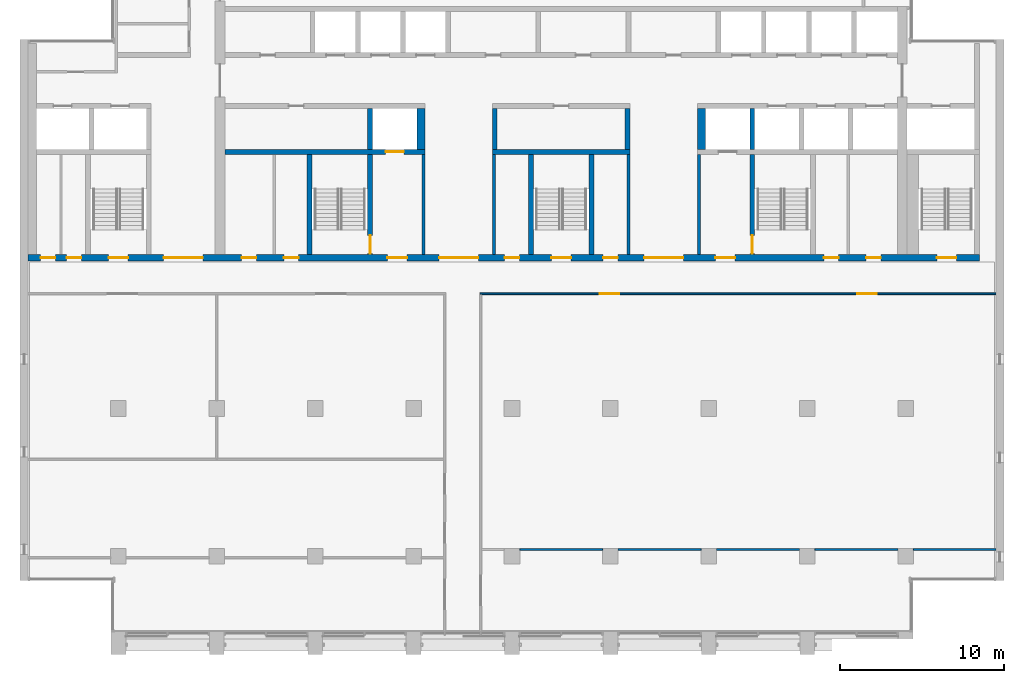
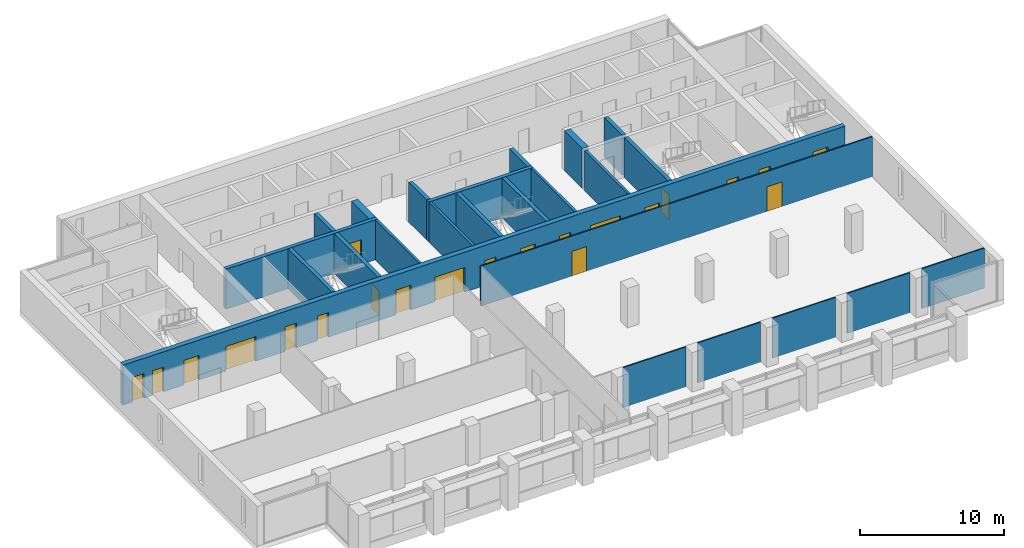
# One storey, part 8 of 14: 24 walls, 21 doors, 21 openings.
"""IFC4 building model written with IfcOpenShell, lengths in metres."""

from ifc_helpers import new_model, si_unit, direction, frame, frame_2d, origin, place, context, subcontext, project, spatial, rectangle, extrude, material, layer, layer_set, type_object, element, fill, save


model = new_model("IFC4")

# Units and contexts
model_context = context("Model", 3, precision=1e-05, world=origin(), true_north=direction((0.0, 1.0)))
body_context = subcontext(model_context, "Body", "Model", "MODEL_VIEW")
ifc_project = project(units=[si_unit("LENGTHUNIT", "METRE"), si_unit("AREAUNIT", "SQUARE_METRE"), si_unit("VOLUMEUNIT", "CUBIC_METRE"), si_unit("PLANEANGLEUNIT", "RADIAN"), si_unit("MASSUNIT", "GRAM", prefix="KILO")], contexts=[model_context])

# Site, building, storey
site_placement = place(None, origin())
site = spatial("IfcSite", under=ifc_project, at=site_placement, CompositionType="ELEMENT")
building_placement = place(site_placement, origin())
building = spatial("IfcBuilding", under=site, at=building_placement, Name="Calvaro Tower", CompositionType="ELEMENT")
storey_placement = place(building_placement, frame((0.0, 0.0, 235.550048828125)))
storey = spatial("IfcBuildingStorey", under=building, at=storey_placement, Name="L59", CompositionType="ELEMENT", Elevation=235.550048828125)

# Walls
ifc_material_1 = material(Name="Blockwork partition", Category="masonry")
ifc_layer_1 = layer(ifc_material_1, 0.199951171875)
ifc_layer_set_1 = layer_set([ifc_layer_1], Name="Blockwork partition")
wall_type_1 = type_object("IfcWallType", Name="Core partition 200 REI 120", PredefinedType="PARTITIONING", material=ifc_layer_set_1)
for number, where, z_axis, x_axis, name in (
    (1, (30.60009765625, 28.39990234375, 0.0), (0.0, 0.0, 1.0), (0.0, 1.0, 0.0), "Core partition"),
    (2, (34.89990234375, 28.39990234375, 0.0), (0.0, 0.0, 1.0), (0.0, 1.0, 0.0), "Core partition"),
    (3, (43.10009765625, 28.39990234375, 0.0), (0.0, 0.0, 1.0), (0.0, 1.0, 0.0), "Core partition"),
    (4, (47.39990234375, 28.39990234375, 0.0), (0.0, 0.0, 1.0), (0.0, 1.0, 0.0), "Core partition"),
):
    element("IfcWall", number, at=place(storey_placement, frame(where, z_axis=z_axis, x_axis=x_axis)), inside=storey, type_object=wall_type_1, Name=name, PredefinedType="PARTITIONING", context=body_context, shape_type="SweptSolid", body=[
        extrude(rectangle(XDim=6.10009765625, YDim=0.199951171875, at=frame_2d((3.050048828125, 0.0))), origin(), (0.0, 0.0, 1.0), 3.39990234375),
    ])
ifc_material_2 = material(Name="Concrete C40/50", Category="concrete")
ifc_layer_2 = layer(ifc_material_2, 0.300048828125)
ifc_layer_set_2 = layer_set([ifc_layer_2], Name="Concrete C40/50")
wall_type_2 = type_object("IfcWallType", Name="Core wall C40/50 300", PredefinedType="SHEAR", material=ifc_layer_set_2)
wall_1_placement = place(storey_placement, frame((23.64990234375, 28.39990234375, 0.0), z_axis=(0.0, 0.0, 1.0), x_axis=(0.0, 1.0, 0.0)))
element("IfcWall", 5, at=wall_1_placement, inside=storey, type_object=wall_type_2, Name="Core wall, stair enclosure", PredefinedType="SHEAR", context=body_context, shape_type="SweptSolid", body=[
    extrude(rectangle(XDim=6.10009765625, YDim=0.300048828125, at=frame_2d((3.050048828125, 0.0))), origin(), (0.0, 0.0, 1.0), 3.39990234375),
])

# Wall, opening, door
wall_2_placement = place(storey_placement, frame((27.35009765625, 28.39990234375, 0.0), z_axis=(0.0, 0.0, 1.0), x_axis=(0.0, 1.0, 0.0)))
wall_2 = element("IfcWall", 6, at=wall_2_placement, inside=storey, type_object=wall_type_2, Name="Core wall, stair enclosure", PredefinedType="SHEAR", context=body_context, shape_type="SweptSolid", body=[
    extrude(rectangle(XDim=6.10009765625, YDim=0.300048828125, at=frame_2d((3.050048828125, 0.0))), origin(), (0.0, 0.0, 1.0), 3.39990234375),
])
opening_1_placement = place(wall_2_placement, frame((0.050048828125, 0.0, 0.0)))
opening_1 = element("IfcOpeningElement", 7, at=opening_1_placement, cuts=wall_2, Name="Opening FD11D", PredefinedType="OPENING", context=body_context, shape_type="SweptSolid", body=[
    extrude(rectangle(XDim=1.10009765625, YDim=2.10009765625, at=frame_2d((0.550048828125, 1.050048828125))), frame((0.0, 0.159912109375, 0.0), z_axis=(0.0, -1.0, 0.0), x_axis=(1.0, 0.0, 0.0)), (0.0, 0.0, 1.0), 0.320068359375),
])
ifc_material_3 = material(Name="Steel door set", Category="steel")
door_type_1 = type_object("IfcDoorType", Name="Fire door 1100 FD30S", OperationType="SINGLE_SWING_LEFT", PredefinedType="DOOR", material=ifc_material_3)
door_1_placement = place(opening_1_placement, origin())
door_1 = element("IfcDoor", 8, at=door_1_placement, inside=storey, type_object=door_type_1, Name="Fire door", OperationType="SINGLE_SWING_LEFT", OverallHeight=2.10009765625, OverallWidth=1.10009765625, PredefinedType="DOOR", context=body_context, shape_type="SweptSolid", body=[
    extrude(rectangle(XDim=1.10009765625, YDim=2.10009765625, at=frame_2d((0.550048828125, 1.050048828125))), frame((0.0, 0.02490234375, 0.0), z_axis=(0.0, -1.0, 0.0), x_axis=(1.0, 0.0, 0.0)), (0.0, 0.0, 1.0), 0.050048828125),
])
fill(opening_1, door_1)

# Walls
for number, where, z_axis, x_axis, name in (
    (9, (37.14990234375, 28.39990234375, 0.0), (0.0, 0.0, 1.0), (0.0, 1.0, 0.0), "Core wall, stair enclosure"),
    (10, (40.85009765625, 28.39990234375, 0.0), (0.0, 0.0, 1.0), (0.0, 1.0, 0.0), "Core wall, stair enclosure"),
):
    element("IfcWall", number, at=place(storey_placement, frame(where, z_axis=z_axis, x_axis=x_axis)), inside=storey, type_object=wall_type_2, Name=name, PredefinedType="SHEAR", context=body_context, shape_type="SweptSolid", body=[
        extrude(rectangle(XDim=6.10009765625, YDim=0.300048828125, at=frame_2d((3.050048828125, 0.0))), origin(), (0.0, 0.0, 1.0), 3.39990234375),
    ])

# Wall, opening, door
wall_3_placement = place(storey_placement, frame((50.64990234375, 34.5, 0.0), z_axis=(0.0, 0.0, 1.0), x_axis=(0.0, -1.0, 0.0)))
wall_3 = element("IfcWall", 11, at=wall_3_placement, inside=storey, type_object=wall_type_2, Name="Core wall, stair enclosure", PredefinedType="SHEAR", context=body_context, shape_type="SweptSolid", body=[
    extrude(rectangle(XDim=6.10009765625, YDim=0.300048828125, at=frame_2d((3.050048828125, 0.0))), origin(), (0.0, 0.0, 1.0), 3.39990234375),
])
opening_2_placement = place(wall_3_placement, frame((4.949951171875, 0.0, 0.0)))
opening_2 = element("IfcOpeningElement", 12, at=opening_2_placement, cuts=wall_3, Name="Opening FD11D", PredefinedType="OPENING", context=body_context, shape_type="SweptSolid", body=[
    extrude(rectangle(XDim=1.10009765625, YDim=2.10009765625, at=frame_2d((0.550048828125, 1.050048828125))), frame((0.0, 0.159912109375, 0.0), z_axis=(0.0, -1.0, 0.0), x_axis=(1.0, 0.0, 0.0)), (0.0, 0.0, 1.0), 0.320068359375),
])
door_2_placement = place(opening_2_placement, origin())
door_2 = element("IfcDoor", 13, at=door_2_placement, inside=storey, type_object=door_type_1, Name="Fire door", OperationType="SINGLE_SWING_RIGHT", OverallHeight=2.10009765625, OverallWidth=1.10009765625, PredefinedType="DOOR", context=body_context, shape_type="SweptSolid", body=[
    extrude(rectangle(XDim=1.10009765625, YDim=2.10009765625, at=frame_2d((0.550048828125, 1.050048828125))), frame((0.0, 0.02490234375, 0.0), z_axis=(0.0, -1.0, 0.0), x_axis=(1.0, 0.0, 0.0)), (0.0, 0.0, 1.0), 0.050048828125),
])
fill(opening_2, door_2)

wall_4_placement = place(storey_placement, frame((18.5, 34.64990234375, 0.0), z_axis=(0.0, 0.0, 1.0), x_axis=(1.0, 0.0, 0.0)))
wall_4 = element("IfcWall", 14, at=wall_4_placement, inside=storey, type_object=wall_type_2, Name="Core wall, lift shaft", PredefinedType="SHEAR", context=body_context, shape_type="SweptSolid", body=[
    extrude(rectangle(XDim=12.199951171875, YDim=0.300048828125, at=frame_2d((6.10009765625, 0.0))), origin(), (0.0, 0.0, 1.0), 3.39990234375),
])
opening_3_placement = place(wall_4_placement, frame((9.800048828125, 0.0, 0.0)))
opening_3 = element("IfcOpeningElement", 15, at=opening_3_placement, cuts=wall_4, Name="Opening FF1", PredefinedType="OPENING", context=body_context, shape_type="SweptSolid", body=[
    extrude(rectangle(XDim=1.10009765625, YDim=2.10009765625, at=frame_2d((0.550048828125, 1.050048828125))), frame((0.0, 0.159912109375, 0.0), z_axis=(0.0, -1.0, 0.0), x_axis=(1.0, 0.0, 0.0)), (0.0, 0.0, 1.0), 0.320068359375),
])
ifc_material_4 = material(Name="Stainless steel", Category="steel")
door_type_2 = type_object("IfcDoorType", Name="Landing door 1100 E 60", OperationType="SLIDING_TO_LEFT", PredefinedType="DOOR", material=ifc_material_4)
door_3_placement = place(opening_3_placement, origin())
door_3 = element("IfcDoor", 16, at=door_3_placement, inside=storey, type_object=door_type_2, Name="Landing door FF1", OperationType="SLIDING_TO_LEFT", OverallHeight=2.10009765625, OverallWidth=1.10009765625, PredefinedType="DOOR", context=body_context, shape_type="SweptSolid", body=[
    extrude(rectangle(XDim=1.10009765625, YDim=2.10009765625, at=frame_2d((0.550048828125, 1.050048828125))), frame((0.0, 0.02490234375, 0.0), z_axis=(0.0, -1.0, 0.0), x_axis=(1.0, 0.0, 0.0)), (0.0, 0.0, 1.0), 0.050048828125),
])
fill(opening_3, door_3)

# Walls
wall_5_placement = place(storey_placement, frame((34.800048828125, 34.64990234375, 0.0), z_axis=(0.0, 0.0, 1.0), x_axis=(1.0, 0.0, 0.0)))
element("IfcWall", 17, at=wall_5_placement, inside=storey, type_object=wall_type_2, Name="Core wall, lift shaft", PredefinedType="SHEAR", context=body_context, shape_type="SweptSolid", body=[
    extrude(rectangle(XDim=8.39990234375, YDim=0.300048828125, at=frame_2d((4.199951171875, 0.0))), origin(), (0.0, 0.0, 1.0), 3.39990234375),
])
for number, where, z_axis, x_axis, name in (
    (18, (27.35009765625, 34.800048828125, 0.0), (0.0, 0.0, 1.0), (0.0, 1.0, 0.0), "Core wall, lift shaft"),
    (19, (34.949951171875, 34.800048828125, 0.0), (0.0, 0.0, 1.0), (0.0, 1.0, 0.0), "Core wall, lift shaft"),
    (20, (43.050048828125, 34.800048828125, 0.0), (0.0, 0.0, 1.0), (0.0, 1.0, 0.0), "Core wall, lift shaft"),
    (21, (50.64990234375, 34.800048828125, 0.0), (0.0, 0.0, 1.0), (0.0, 1.0, 0.0), "Core wall, lift shaft"),
):
    element("IfcWall", number, at=place(storey_placement, frame(where, z_axis=z_axis, x_axis=x_axis)), inside=storey, type_object=wall_type_2, Name=name, PredefinedType="SHEAR", context=body_context, shape_type="SweptSolid", body=[
        extrude(rectangle(XDim=2.5, YDim=0.300048828125, at=frame_2d((1.25, 0.0))), origin(), (0.0, 0.0, 1.0), 3.39990234375),
    ])

# Wall, openings, doors
ifc_material_5 = material(Name="Concrete C40/50", Category="concrete")
ifc_layer_3 = layer(ifc_material_5, 0.39990234375)
ifc_layer_set_3 = layer_set([ifc_layer_3], Name="Concrete C40/50")
wall_type_3 = type_object("IfcWallType", Name="Core wall C40/50 400", PredefinedType="SHEAR", material=ifc_layer_set_3)
wall_6_placement = place(storey_placement, frame((6.5, 28.199951171875, 0.0), z_axis=(0.0, 0.0, 1.0), x_axis=(1.0, 0.0, 0.0)))
wall_6 = element("IfcWall", 22, at=wall_6_placement, inside=storey, type_object=wall_type_3, Name="Core wall, front", PredefinedType="SHEAR", context=body_context, shape_type="SweptSolid", body=[
    extrude(rectangle(XDim=58.0, YDim=0.39990234375, at=frame_2d((29.0, 0.0))), origin(), (0.0, 0.0, 1.0), 3.39990234375),
])
opening_4_placement = place(wall_6_placement, frame((13.012451171875, 0.0, 0.0)))
opening_4 = element("IfcOpeningElement", 23, at=opening_4_placement, cuts=wall_6, Name="Opening RD9E", PredefinedType="OPENING", context=body_context, shape_type="SweptSolid", body=[
    extrude(rectangle(XDim=0.89990234375, YDim=2.10009765625, at=frame_2d((0.449951171875, 1.050048828125))), frame((0.0, 0.2099609375, 0.0), z_axis=(0.0, -1.0, 0.0), x_axis=(1.0, 0.0, 0.0)), (0.0, 0.0, 1.0), 0.419921875),
])
opening_5_placement = place(wall_6_placement, frame((15.58740234375, 0.0, 0.0)))
opening_5 = element("IfcOpeningElement", 24, at=opening_5_placement, cuts=wall_6, Name="Opening RD9E", PredefinedType="OPENING", context=body_context, shape_type="SweptSolid", body=[
    extrude(rectangle(XDim=0.89990234375, YDim=2.10009765625, at=frame_2d((0.449951171875, 1.050048828125))), frame((0.0, 0.2099609375, 0.0), z_axis=(0.0, -1.0, 0.0), x_axis=(1.0, 0.0, 0.0)), (0.0, 0.0, 1.0), 0.419921875),
])
opening_6_placement = place(wall_6_placement, frame((48.512451171875, 0.0, 0.0)))
opening_6 = element("IfcOpeningElement", 25, at=opening_6_placement, cuts=wall_6, Name="Opening RD9E", PredefinedType="OPENING", context=body_context, shape_type="SweptSolid", body=[
    extrude(rectangle(XDim=0.89990234375, YDim=2.10009765625, at=frame_2d((0.449951171875, 1.050048828125))), frame((0.0, 0.2099609375, 0.0), z_axis=(0.0, -1.0, 0.0), x_axis=(1.0, 0.0, 0.0)), (0.0, 0.0, 1.0), 0.419921875),
])
opening_7_placement = place(wall_6_placement, frame((51.08740234375, 0.0, 0.0)))
opening_7 = element("IfcOpeningElement", 26, at=opening_7_placement, cuts=wall_6, Name="Opening RD9E", PredefinedType="OPENING", context=body_context, shape_type="SweptSolid", body=[
    extrude(rectangle(XDim=0.89990234375, YDim=2.10009765625, at=frame_2d((0.449951171875, 1.050048828125))), frame((0.0, 0.2099609375, 0.0), z_axis=(0.0, -1.0, 0.0), x_axis=(1.0, 0.0, 0.0)), (0.0, 0.0, 1.0), 0.419921875),
])
opening_8_placement = place(wall_6_placement, frame((0.762451171875, 0.0, 0.0)))
opening_8 = element("IfcOpeningElement", 27, at=opening_8_placement, cuts=wall_6, Name="Opening RD9E", PredefinedType="OPENING", context=body_context, shape_type="SweptSolid", body=[
    extrude(rectangle(XDim=0.89990234375, YDim=2.10009765625, at=frame_2d((0.449951171875, 1.050048828125))), frame((0.0, 0.2099609375, 0.0), z_axis=(0.0, -1.0, 0.0), x_axis=(1.0, 0.0, 0.0)), (0.0, 0.0, 1.0), 0.419921875),
])
opening_9_placement = place(wall_6_placement, frame((2.33740234375, 0.0, 0.0)))
opening_9 = element("IfcOpeningElement", 28, at=opening_9_placement, cuts=wall_6, Name="Opening RD9C", PredefinedType="OPENING", context=body_context, shape_type="SweptSolid", body=[
    extrude(rectangle(XDim=0.89990234375, YDim=2.10009765625, at=frame_2d((0.449951171875, 1.050048828125))), frame((0.0, 0.2099609375, 0.0), z_axis=(0.0, -1.0, 0.0), x_axis=(1.0, 0.0, 0.0)), (0.0, 0.0, 1.0), 0.419921875),
])
opening_10_placement = place(wall_6_placement, frame((4.89990234375, 0.0, 0.0)))
opening_10 = element("IfcOpeningElement", 29, at=opening_10_placement, cuts=wall_6, Name="Opening SD12D", PredefinedType="OPENING", context=body_context, shape_type="SweptSolid", body=[
    extrude(rectangle(XDim=1.199951171875, YDim=2.10009765625, at=frame_2d((0.60009765625, 1.050048828125))), frame((0.0, 0.2099609375, 0.0), z_axis=(0.0, -1.0, 0.0), x_axis=(1.0, 0.0, 0.0)), (0.0, 0.0, 1.0), 0.419921875),
])
opening_11_placement = place(wall_6_placement, frame((31.89990234375, 0.0, 0.0)))
opening_11 = element("IfcOpeningElement", 30, at=opening_11_placement, cuts=wall_6, Name="Opening SD12D", PredefinedType="OPENING", context=body_context, shape_type="SweptSolid", body=[
    extrude(rectangle(XDim=1.199951171875, YDim=2.10009765625, at=frame_2d((0.60009765625, 1.050048828125))), frame((0.0, 0.2099609375, 0.0), z_axis=(0.0, -1.0, 0.0), x_axis=(1.0, 0.0, 0.0)), (0.0, 0.0, 1.0), 0.419921875),
])
opening_12_placement = place(wall_6_placement, frame((55.39990234375, 0.0, 0.0)))
opening_12 = element("IfcOpeningElement", 31, at=opening_12_placement, cuts=wall_6, Name="Opening SD12D", PredefinedType="OPENING", context=body_context, shape_type="SweptSolid", body=[
    extrude(rectangle(XDim=1.199951171875, YDim=2.10009765625, at=frame_2d((0.60009765625, 1.050048828125))), frame((0.0, 0.2099609375, 0.0), z_axis=(0.0, -1.0, 0.0), x_axis=(1.0, 0.0, 0.0)), (0.0, 0.0, 1.0), 0.419921875),
])
opening_13_placement = place(wall_6_placement, frame((21.89990234375, 0.0, 0.0)))
opening_13 = element("IfcOpeningElement", 32, at=opening_13_placement, cuts=wall_6, Name="Opening FD12F", PredefinedType="OPENING", context=body_context, shape_type="SweptSolid", body=[
    extrude(rectangle(XDim=1.199951171875, YDim=2.10009765625, at=frame_2d((0.60009765625, 1.050048828125))), frame((0.0, 0.2099609375, 0.0), z_axis=(0.0, -1.0, 0.0), x_axis=(1.0, 0.0, 0.0)), (0.0, 0.0, 1.0), 0.419921875),
])
opening_14_placement = place(wall_6_placement, frame((41.89990234375, 0.0, 0.0)))
opening_14 = element("IfcOpeningElement", 33, at=opening_14_placement, cuts=wall_6, Name="Opening FD12F", PredefinedType="OPENING", context=body_context, shape_type="SweptSolid", body=[
    extrude(rectangle(XDim=1.199951171875, YDim=2.10009765625, at=frame_2d((0.60009765625, 1.050048828125))), frame((0.0, 0.2099609375, 0.0), z_axis=(0.0, -1.0, 0.0), x_axis=(1.0, 0.0, 0.0)), (0.0, 0.0, 1.0), 0.419921875),
])
opening_15_placement = place(wall_6_placement, frame((25.050048828125, 0.0, 0.0)))
opening_15 = element("IfcOpeningElement", 34, at=opening_15_placement, cuts=wall_6, Name="Opening DD24D", PredefinedType="OPENING", context=body_context, shape_type="SweptSolid", body=[
    extrude(rectangle(XDim=2.39990234375, YDim=2.10009765625, at=frame_2d((1.199951171875, 1.050048828125))), frame((0.0, 0.2099609375, 0.0), z_axis=(0.0, -1.0, 0.0), x_axis=(1.0, 0.0, 0.0)), (0.0, 0.0, 1.0), 0.419921875),
])
opening_16_placement = place(wall_6_placement, frame((37.550048828125, 0.0, 0.0)))
opening_16 = element("IfcOpeningElement", 35, at=opening_16_placement, cuts=wall_6, Name="Opening DD24D", PredefinedType="OPENING", context=body_context, shape_type="SweptSolid", body=[
    extrude(rectangle(XDim=2.39990234375, YDim=2.10009765625, at=frame_2d((1.199951171875, 1.050048828125))), frame((0.0, 0.2099609375, 0.0), z_axis=(0.0, -1.0, 0.0), x_axis=(1.0, 0.0, 0.0)), (0.0, 0.0, 1.0), 0.419921875),
])
opening_17_placement = place(wall_6_placement, frame((8.25, 0.0, 0.0)))
opening_17 = element("IfcOpeningElement", 36, at=opening_17_placement, cuts=wall_6, Name="Opening DD24D", PredefinedType="OPENING", context=body_context, shape_type="SweptSolid", body=[
    extrude(rectangle(XDim=2.39990234375, YDim=2.10009765625, at=frame_2d((1.199951171875, 1.050048828125))), frame((0.0, 0.2099609375, 0.0), z_axis=(0.0, -1.0, 0.0), x_axis=(1.0, 0.0, 0.0)), (0.0, 0.0, 1.0), 0.419921875),
])
opening_18_placement = place(wall_6_placement, frame((29.050048828125, 0.0, 0.0)))
opening_18 = element("IfcOpeningElement", 37, at=opening_18_placement, cuts=wall_6, Name="Opening RD9E", PredefinedType="OPENING", context=body_context, shape_type="SweptSolid", body=[
    extrude(rectangle(XDim=0.89990234375, YDim=2.10009765625, at=frame_2d((0.449951171875, 1.050048828125))), frame((0.0, 0.2099609375, 0.0), z_axis=(0.0, -1.0, 0.0), x_axis=(1.0, 0.0, 0.0)), (0.0, 0.0, 1.0), 0.419921875),
])
opening_19_placement = place(wall_6_placement, frame((35.050048828125, 0.0, 0.0)))
opening_19 = element("IfcOpeningElement", 38, at=opening_19_placement, cuts=wall_6, Name="Opening RD9E", PredefinedType="OPENING", context=body_context, shape_type="SweptSolid", body=[
    extrude(rectangle(XDim=0.89990234375, YDim=2.10009765625, at=frame_2d((0.449951171875, 1.050048828125))), frame((0.0, 0.2099609375, 0.0), z_axis=(0.0, -1.0, 0.0), x_axis=(1.0, 0.0, 0.0)), (0.0, 0.0, 1.0), 0.419921875),
])
ifc_material_6 = material(Name="Steel door set", Category="steel")
door_type_3 = type_object("IfcDoorType", Name="Fire door 1200 FD60S", OperationType="SINGLE_SWING_LEFT", PredefinedType="DOOR", material=ifc_material_6)
door_4_placement = place(opening_13_placement, origin())
door_4 = element("IfcDoor", 39, at=door_4_placement, inside=storey, type_object=door_type_3, Name="Fire door", OperationType="SINGLE_SWING_LEFT", OverallHeight=2.10009765625, OverallWidth=1.199951171875, PredefinedType="DOOR", context=body_context, shape_type="SweptSolid", body=[
    extrude(rectangle(XDim=1.199951171875, YDim=2.10009765625, at=frame_2d((0.60009765625, 1.050048828125))), frame((0.0, 0.02490234375, 0.0), z_axis=(0.0, -1.0, 0.0), x_axis=(1.0, 0.0, 0.0)), (0.0, 0.0, 1.0), 0.050048828125),
])
fill(opening_13, door_4)
door_5_placement = place(opening_14_placement, origin())
door_5 = element("IfcDoor", 40, at=door_5_placement, inside=storey, type_object=door_type_3, Name="Fire door", OperationType="SINGLE_SWING_LEFT", OverallHeight=2.10009765625, OverallWidth=1.199951171875, PredefinedType="DOOR", context=body_context, shape_type="SweptSolid", body=[
    extrude(rectangle(XDim=1.199951171875, YDim=2.10009765625, at=frame_2d((0.60009765625, 1.050048828125))), frame((0.0, 0.02490234375, 0.0), z_axis=(0.0, -1.0, 0.0), x_axis=(1.0, 0.0, 0.0)), (0.0, 0.0, 1.0), 0.050048828125),
])
fill(opening_14, door_5)
ifc_material_7 = material(Name="Steel door set", Category="steel")
door_type_4 = type_object("IfcDoorType", Name="Lobby double door 2400 FD30S", OperationType="DOUBLE_DOOR_SINGLE_SWING", PredefinedType="DOOR", material=ifc_material_7)
door_6_placement = place(opening_15_placement, origin())
door_6 = element("IfcDoor", 41, at=door_6_placement, inside=storey, type_object=door_type_4, Name="Lobby double door", OperationType="DOUBLE_DOOR_SINGLE_SWING", OverallHeight=2.10009765625, OverallWidth=2.39990234375, PredefinedType="DOOR", context=body_context, shape_type="SweptSolid", body=[
    extrude(rectangle(XDim=2.39990234375, YDim=2.10009765625, at=frame_2d((1.199951171875, 1.050048828125))), frame((0.0, 0.02490234375, 0.0), z_axis=(0.0, -1.0, 0.0), x_axis=(1.0, 0.0, 0.0)), (0.0, 0.0, 1.0), 0.050048828125),
])
fill(opening_15, door_6)
door_7_placement = place(opening_16_placement, origin())
door_7 = element("IfcDoor", 42, at=door_7_placement, inside=storey, type_object=door_type_4, Name="Lobby double door", OperationType="DOUBLE_DOOR_SINGLE_SWING", OverallHeight=2.10009765625, OverallWidth=2.39990234375, PredefinedType="DOOR", context=body_context, shape_type="SweptSolid", body=[
    extrude(rectangle(XDim=2.39990234375, YDim=2.10009765625, at=frame_2d((1.199951171875, 1.050048828125))), frame((0.0, 0.02490234375, 0.0), z_axis=(0.0, -1.0, 0.0), x_axis=(1.0, 0.0, 0.0)), (0.0, 0.0, 1.0), 0.050048828125),
])
fill(opening_16, door_7)
door_8_placement = place(opening_17_placement, origin())
door_8 = element("IfcDoor", 43, at=door_8_placement, inside=storey, type_object=door_type_4, Name="Lobby double door", OperationType="DOUBLE_DOOR_SINGLE_SWING", OverallHeight=2.10009765625, OverallWidth=2.39990234375, PredefinedType="DOOR", context=body_context, shape_type="SweptSolid", body=[
    extrude(rectangle(XDim=2.39990234375, YDim=2.10009765625, at=frame_2d((1.199951171875, 1.050048828125))), frame((0.0, 0.02490234375, 0.0), z_axis=(0.0, -1.0, 0.0), x_axis=(1.0, 0.0, 0.0)), (0.0, 0.0, 1.0), 0.050048828125),
])
fill(opening_17, door_8)
ifc_material_8 = material(Name="Steel door set", Category="steel")
door_type_5 = type_object("IfcDoorType", Name="Room door 900 FD30", OperationType="SINGLE_SWING_LEFT", PredefinedType="DOOR", material=ifc_material_8)
door_9_placement = place(opening_9_placement, origin())
door_9 = element("IfcDoor", 44, at=door_9_placement, inside=storey, type_object=door_type_5, Name="Room door", OperationType="SINGLE_SWING_LEFT", OverallHeight=2.10009765625, OverallWidth=0.89990234375, PredefinedType="DOOR", context=body_context, shape_type="SweptSolid", body=[
    extrude(rectangle(XDim=0.89990234375, YDim=2.10009765625, at=frame_2d((0.449951171875, 1.050048828125))), frame((0.0, 0.02490234375, 0.0), z_axis=(0.0, -1.0, 0.0), x_axis=(1.0, 0.0, 0.0)), (0.0, 0.0, 1.0), 0.050048828125),
])
fill(opening_9, door_9)
ifc_material_9 = material(Name="Steel door set", Category="steel")
door_type_6 = type_object("IfcDoorType", Name="Room door 900 FD60", OperationType="SINGLE_SWING_LEFT", PredefinedType="DOOR", material=ifc_material_9)
door_10_placement = place(opening_4_placement, origin())
door_10 = element("IfcDoor", 45, at=door_10_placement, inside=storey, type_object=door_type_6, Name="Room door", OperationType="SINGLE_SWING_LEFT", OverallHeight=2.10009765625, OverallWidth=0.89990234375, PredefinedType="DOOR", context=body_context, shape_type="SweptSolid", body=[
    extrude(rectangle(XDim=0.89990234375, YDim=2.10009765625, at=frame_2d((0.449951171875, 1.050048828125))), frame((0.0, 0.02490234375, 0.0), z_axis=(0.0, -1.0, 0.0), x_axis=(1.0, 0.0, 0.0)), (0.0, 0.0, 1.0), 0.050048828125),
])
fill(opening_4, door_10)
door_11_placement = place(opening_5_placement, origin())
door_11 = element("IfcDoor", 46, at=door_11_placement, inside=storey, type_object=door_type_6, Name="Room door", OperationType="SINGLE_SWING_RIGHT", OverallHeight=2.10009765625, OverallWidth=0.89990234375, PredefinedType="DOOR", context=body_context, shape_type="SweptSolid", body=[
    extrude(rectangle(XDim=0.89990234375, YDim=2.10009765625, at=frame_2d((0.449951171875, 1.050048828125))), frame((0.0, 0.02490234375, 0.0), z_axis=(0.0, -1.0, 0.0), x_axis=(1.0, 0.0, 0.0)), (0.0, 0.0, 1.0), 0.050048828125),
])
fill(opening_5, door_11)
door_12_placement = place(opening_6_placement, origin())
door_12 = element("IfcDoor", 47, at=door_12_placement, inside=storey, type_object=door_type_6, Name="Room door", OperationType="SINGLE_SWING_LEFT", OverallHeight=2.10009765625, OverallWidth=0.89990234375, PredefinedType="DOOR", context=body_context, shape_type="SweptSolid", body=[
    extrude(rectangle(XDim=0.89990234375, YDim=2.10009765625, at=frame_2d((0.449951171875, 1.050048828125))), frame((0.0, 0.02490234375, 0.0), z_axis=(0.0, -1.0, 0.0), x_axis=(1.0, 0.0, 0.0)), (0.0, 0.0, 1.0), 0.050048828125),
])
fill(opening_6, door_12)
door_13_placement = place(opening_7_placement, origin())
door_13 = element("IfcDoor", 48, at=door_13_placement, inside=storey, type_object=door_type_6, Name="Room door", OperationType="SINGLE_SWING_LEFT", OverallHeight=2.10009765625, OverallWidth=0.89990234375, PredefinedType="DOOR", context=body_context, shape_type="SweptSolid", body=[
    extrude(rectangle(XDim=0.89990234375, YDim=2.10009765625, at=frame_2d((0.449951171875, 1.050048828125))), frame((0.0, 0.02490234375, 0.0), z_axis=(0.0, -1.0, 0.0), x_axis=(1.0, 0.0, 0.0)), (0.0, 0.0, 1.0), 0.050048828125),
])
fill(opening_7, door_13)
door_14_placement = place(opening_8_placement, origin())
door_14 = element("IfcDoor", 49, at=door_14_placement, inside=storey, type_object=door_type_6, Name="Room door", OperationType="SINGLE_SWING_LEFT", OverallHeight=2.10009765625, OverallWidth=0.89990234375, PredefinedType="DOOR", context=body_context, shape_type="SweptSolid", body=[
    extrude(rectangle(XDim=0.89990234375, YDim=2.10009765625, at=frame_2d((0.449951171875, 1.050048828125))), frame((0.0, 0.02490234375, 0.0), z_axis=(0.0, -1.0, 0.0), x_axis=(1.0, 0.0, 0.0)), (0.0, 0.0, 1.0), 0.050048828125),
])
fill(opening_8, door_14)
door_15_placement = place(opening_18_placement, origin())
door_15 = element("IfcDoor", 50, at=door_15_placement, inside=storey, type_object=door_type_6, Name="Room door", OperationType="SINGLE_SWING_LEFT", OverallHeight=2.10009765625, OverallWidth=0.89990234375, PredefinedType="DOOR", context=body_context, shape_type="SweptSolid", body=[
    extrude(rectangle(XDim=0.89990234375, YDim=2.10009765625, at=frame_2d((0.449951171875, 1.050048828125))), frame((0.0, 0.02490234375, 0.0), z_axis=(0.0, -1.0, 0.0), x_axis=(1.0, 0.0, 0.0)), (0.0, 0.0, 1.0), 0.050048828125),
])
fill(opening_18, door_15)
door_16_placement = place(opening_19_placement, origin())
door_16 = element("IfcDoor", 51, at=door_16_placement, inside=storey, type_object=door_type_6, Name="Room door", OperationType="SINGLE_SWING_LEFT", OverallHeight=2.10009765625, OverallWidth=0.89990234375, PredefinedType="DOOR", context=body_context, shape_type="SweptSolid", body=[
    extrude(rectangle(XDim=0.89990234375, YDim=2.10009765625, at=frame_2d((0.449951171875, 1.050048828125))), frame((0.0, 0.02490234375, 0.0), z_axis=(0.0, -1.0, 0.0), x_axis=(1.0, 0.0, 0.0)), (0.0, 0.0, 1.0), 0.050048828125),
])
fill(opening_19, door_16)
ifc_material_10 = material(Name="Steel door set", Category="steel")
door_type_7 = type_object("IfcDoorType", Name="Stair door 1200 FD30S", OperationType="SINGLE_SWING_LEFT", PredefinedType="DOOR", material=ifc_material_10)
door_17_placement = place(opening_10_placement, origin())
door_17 = element("IfcDoor", 52, at=door_17_placement, inside=storey, type_object=door_type_7, Name="Stair door", OperationType="SINGLE_SWING_LEFT", OverallHeight=2.10009765625, OverallWidth=1.199951171875, PredefinedType="DOOR", context=body_context, shape_type="SweptSolid", body=[
    extrude(rectangle(XDim=1.199951171875, YDim=2.10009765625, at=frame_2d((0.60009765625, 1.050048828125))), frame((0.0, 0.02490234375, 0.0), z_axis=(0.0, -1.0, 0.0), x_axis=(1.0, 0.0, 0.0)), (0.0, 0.0, 1.0), 0.050048828125),
])
fill(opening_10, door_17)
door_18_placement = place(opening_11_placement, origin())
door_18 = element("IfcDoor", 53, at=door_18_placement, inside=storey, type_object=door_type_7, Name="Stair door", OperationType="SINGLE_SWING_LEFT", OverallHeight=2.10009765625, OverallWidth=1.199951171875, PredefinedType="DOOR", context=body_context, shape_type="SweptSolid", body=[
    extrude(rectangle(XDim=1.199951171875, YDim=2.10009765625, at=frame_2d((0.60009765625, 1.050048828125))), frame((0.0, 0.02490234375, 0.0), z_axis=(0.0, -1.0, 0.0), x_axis=(1.0, 0.0, 0.0)), (0.0, 0.0, 1.0), 0.050048828125),
])
fill(opening_11, door_18)
door_19_placement = place(opening_12_placement, origin())
door_19 = element("IfcDoor", 54, at=door_19_placement, inside=storey, type_object=door_type_7, Name="Stair door", OperationType="SINGLE_SWING_LEFT", OverallHeight=2.10009765625, OverallWidth=1.199951171875, PredefinedType="DOOR", context=body_context, shape_type="SweptSolid", body=[
    extrude(rectangle(XDim=1.199951171875, YDim=2.10009765625, at=frame_2d((0.60009765625, 1.050048828125))), frame((0.0, 0.02490234375, 0.0), z_axis=(0.0, -1.0, 0.0), x_axis=(1.0, 0.0, 0.0)), (0.0, 0.0, 1.0), 0.050048828125),
])
fill(opening_12, door_19)

# Walls
ifc_material_11 = material(Name="Concrete C40/50", Category="concrete")
ifc_layer_4 = layer(ifc_material_11, 0.5)
ifc_layer_set_4 = layer_set([ifc_layer_4], Name="Concrete C40/50")
wall_type_4 = type_object("IfcWallType", Name="Core wall C40/50 500", PredefinedType="SHEAR", material=ifc_layer_set_4)
for number, where, z_axis, x_axis, name in (
    (55, (30.449951171875, 34.800048828125, 0.0), (0.0, 0.0, 1.0), (0.0, 1.0, 0.0), "Core wall, lift shaft"),
    (56, (47.550048828125, 34.800048828125, 0.0), (0.0, 0.0, 1.0), (0.0, 1.0, 0.0), "Core wall, lift shaft"),
):
    element("IfcWall", number, at=place(storey_placement, frame(where, z_axis=z_axis, x_axis=x_axis)), inside=storey, type_object=wall_type_4, Name=name, PredefinedType="SHEAR", context=body_context, shape_type="SweptSolid", body=[
        extrude(rectangle(XDim=2.5, YDim=0.5, at=frame_2d((1.25, 0.0))), origin(), (0.0, 0.0, 1.0), 3.39990234375),
    ])
ifc_material_12 = material(Name="Plasterboard on steel studs", Category="steel")
ifc_layer_5 = layer(ifc_material_12, 0.10009765625)
ifc_layer_set_5 = layer_set([ifc_layer_5], Name="Plasterboard on steel studs")
wall_type_5 = type_object("IfcWallType", Name="Partition 100", PredefinedType="PARTITIONING", material=ifc_layer_set_5)
wall_7_placement = place(storey_placement, frame((60.47509765625, 10.39990234375, 0.0), z_axis=(0.0, 0.0, 1.0), x_axis=(1.0, 0.0, 0.0)))
element("IfcWall", 57, at=wall_7_placement, inside=storey, type_object=wall_type_5, Name="Partition T34.W006", PredefinedType="PARTITIONING", context=body_context, shape_type="SweptSolid", body=[
    extrude(rectangle(XDim=5.02490234375, YDim=0.10009765625, at=frame_2d((2.512451171875, 0.0))), origin(), (0.0, 0.0, 1.0), 3.39990234375),
])
for number, where, z_axis, x_axis, name in (
    (58, (54.47509765625, 10.39990234375, 0.0), (0.0, 0.0, 1.0), (1.0, 0.0, 0.0), "Partition T34.W007"),
    (59, (48.47509765625, 10.39990234375, 0.0), (0.0, 0.0, 1.0), (1.0, 0.0, 0.0), "Partition T34.W008"),
    (60, (42.47509765625, 10.39990234375, 0.0), (0.0, 0.0, 1.0), (1.0, 0.0, 0.0), "Partition T34.W009"),
    (61, (36.47509765625, 10.39990234375, 0.0), (0.0, 0.0, 1.0), (1.0, 0.0, 0.0), "Partition T34.W010"),
):
    element("IfcWall", number, at=place(storey_placement, frame(where, z_axis=z_axis, x_axis=x_axis)), inside=storey, type_object=wall_type_5, Name=name, PredefinedType="PARTITIONING", context=body_context, shape_type="SweptSolid", body=[
        extrude(rectangle(XDim=5.0498046875, YDim=0.10009765625, at=frame_2d((2.52490234375, 0.0))), origin(), (0.0, 0.0, 1.0), 3.39990234375),
    ])

# Wall, openings, doors
wall_8_placement = place(storey_placement, frame((34.050048828125, 26.0, 0.0), z_axis=(0.0, 0.0, 1.0), x_axis=(1.0, 0.0, 0.0)))
wall_8 = element("IfcWall", 62, at=wall_8_placement, inside=storey, type_object=wall_type_5, Name="Partition T34.W014", PredefinedType="PARTITIONING", context=body_context, shape_type="SweptSolid", body=[
    extrude(rectangle(XDim=31.449951171875, YDim=0.10009765625, at=frame_2d((15.72509765625, 0.0))), origin(), (0.0, 0.0, 1.0), 3.39990234375),
])
opening_20_placement = place(wall_8_placement, frame((7.300048828125, 0.0, 0.0)))
opening_20 = element("IfcOpeningElement", 63, at=opening_20_placement, cuts=wall_8, Name="Opening T34.005", PredefinedType="OPENING", context=body_context, shape_type="SweptSolid", body=[
    extrude(rectangle(XDim=1.199951171875, YDim=2.10009765625, at=frame_2d((0.60009765625, 1.050048828125))), frame((0.0, 0.06005859375, 0.0), z_axis=(0.0, -1.0, 0.0), x_axis=(1.0, 0.0, 0.0)), (0.0, 0.0, 1.0), 0.1201171875),
])
opening_21_placement = place(wall_8_placement, frame((23.0, 0.0, 0.0)))
opening_21 = element("IfcOpeningElement", 64, at=opening_21_placement, cuts=wall_8, Name="Opening T34.006", PredefinedType="OPENING", context=body_context, shape_type="SweptSolid", body=[
    extrude(rectangle(XDim=1.199951171875, YDim=2.10009765625, at=frame_2d((0.60009765625, 1.050048828125))), frame((0.0, 0.06005859375, 0.0), z_axis=(0.0, -1.0, 0.0), x_axis=(1.0, 0.0, 0.0)), (0.0, 0.0, 1.0), 0.1201171875),
])
ifc_material_13 = material(Name="Timber", Category="wood")
door_type_8 = type_object("IfcDoorType", Name="Internal single door 1200 x 2100", OperationType="SINGLE_SWING_LEFT", PredefinedType="DOOR", material=ifc_material_13)
door_20_placement = place(opening_20_placement, origin())
door_20 = element("IfcDoor", 65, at=door_20_placement, inside=storey, type_object=door_type_8, Name="Door T34.005", OperationType="SINGLE_SWING_LEFT", OverallHeight=2.10009765625, OverallWidth=1.199951171875, PredefinedType="DOOR", context=body_context, shape_type="SweptSolid", body=[
    extrude(rectangle(XDim=1.199951171875, YDim=2.10009765625, at=frame_2d((0.60009765625, 1.050048828125))), frame((0.0, 0.02490234375, 0.0), z_axis=(0.0, -1.0, 0.0), x_axis=(1.0, 0.0, 0.0)), (0.0, 0.0, 1.0), 0.050048828125),
])
fill(opening_20, door_20)
door_21_placement = place(opening_21_placement, origin())
door_21 = element("IfcDoor", 66, at=door_21_placement, inside=storey, type_object=door_type_8, Name="Door T34.006", OperationType="SINGLE_SWING_RIGHT", OverallHeight=2.10009765625, OverallWidth=1.199951171875, PredefinedType="DOOR", context=body_context, shape_type="SweptSolid", body=[
    extrude(rectangle(XDim=1.199951171875, YDim=2.10009765625, at=frame_2d((0.60009765625, 1.050048828125))), frame((0.0, 0.02490234375, 0.0), z_axis=(0.0, -1.0, 0.0), x_axis=(1.0, 0.0, 0.0)), (0.0, 0.0, 1.0), 0.050048828125),
])
fill(opening_21, door_21)

save(model, "model.ifc")
